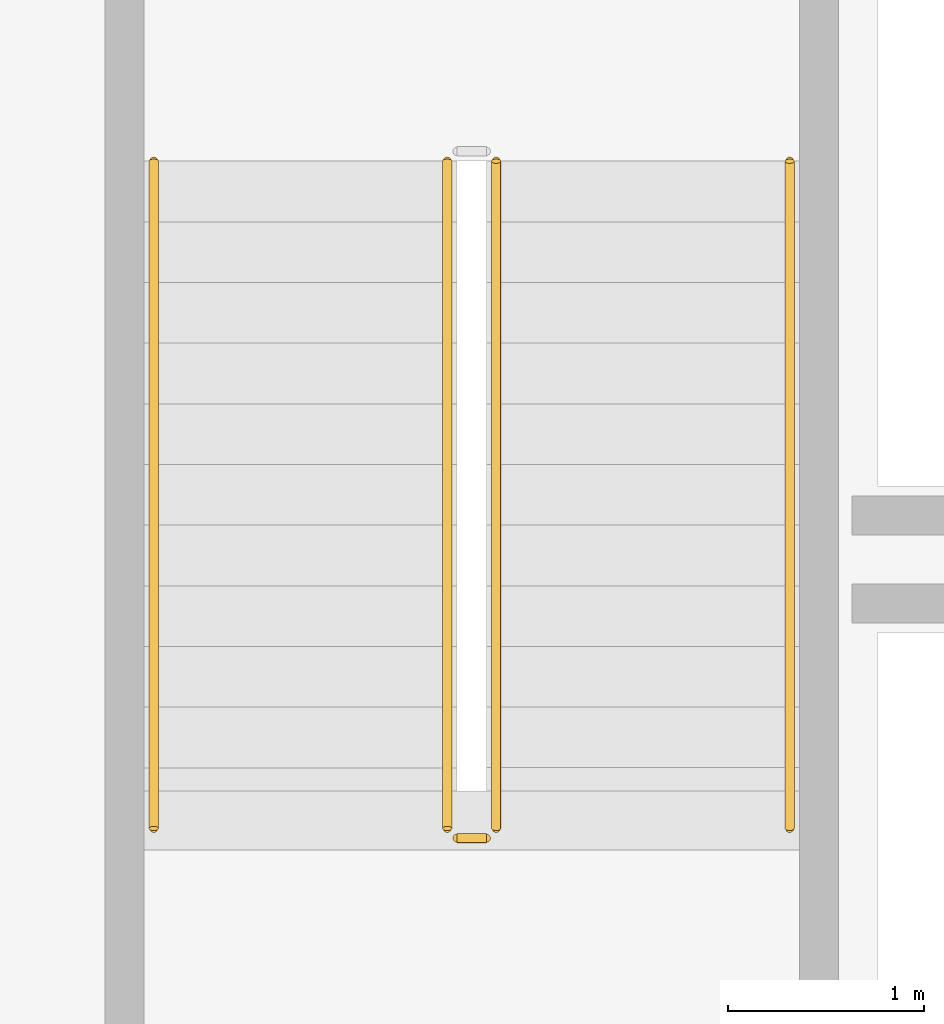
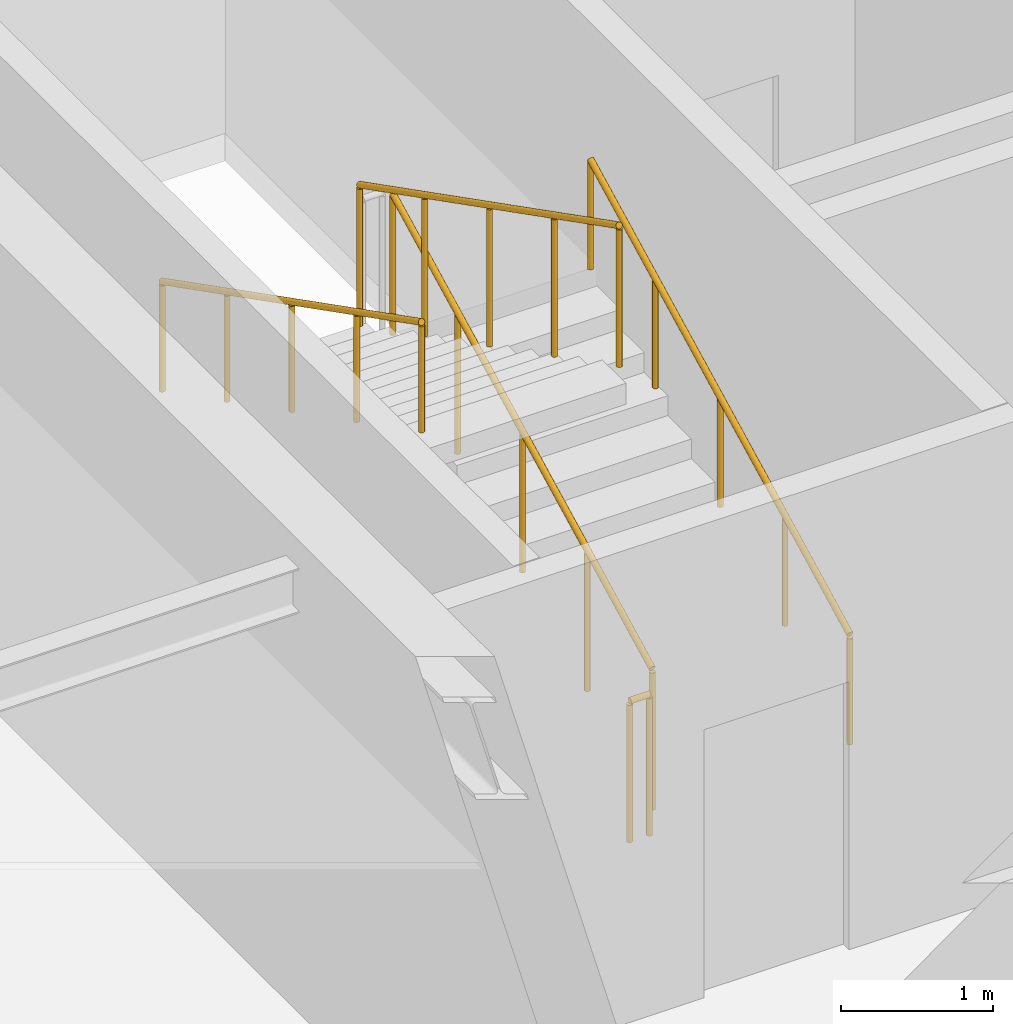
# One storey, part 14 of 19: 5 railings.
"""IFC4 building model written with IfcOpenShell, lengths in metres."""

from ifc_helpers import new_model, si_unit, direction, frame, origin, origin_2d, place, context, subcontext, project, spatial, circle, extrude, material, type_object, element, save


model = new_model("IFC4")

# Units and contexts
model_context = context("Model", 3, precision=1e-05, world=origin(), true_north=direction((0.0, 1.0)))
body_context = subcontext(model_context, "Body", "Model", "MODEL_VIEW")
ifc_project = project(units=[si_unit("LENGTHUNIT", "METRE"), si_unit("AREAUNIT", "SQUARE_METRE"), si_unit("VOLUMEUNIT", "CUBIC_METRE"), si_unit("PLANEANGLEUNIT", "RADIAN"), si_unit("MASSUNIT", "GRAM", prefix="KILO")], contexts=[model_context])

# Site, building, storey
site_placement = place(None, origin())
site = spatial("IfcSite", under=ifc_project, at=site_placement, CompositionType="ELEMENT")
building_placement = place(site_placement, origin())
building = spatial("IfcBuilding", under=site, at=building_placement, Name="Vaeldorn Concourse Tower", CompositionType="ELEMENT")
storey_placement = place(building_placement, frame((0.0, 0.0, 272.60009765625)))
storey = spatial("IfcBuildingStorey", under=building, at=storey_placement, Name="L70", CompositionType="ELEMENT", Elevation=272.60009765625)

# Railings
ifc_material = material(Name="Anodised Bronze Aluminium", Category="aluminium")
railing_type_1 = type_object("IfcRailingType", Name="RL-STAIR-GUARD", PredefinedType="GUARDRAIL", material=ifc_material)
railing_1_placement = place(storey_placement, frame((16.85009765625, 41.60009765625, 0.158203125)))
element("IfcRailing", 1, at=railing_1_placement, inside=storey, type_object=railing_type_1, Name="L70 ST-1 stair guard 1", PredefinedType="GUARDRAIL", context=body_context, shape_type="SweptSolid", body=[
    extrude(circle(Radius=0.02392578125, at=origin_2d()), frame((0.0, 0.0, 1.1259765625), z_axis=(0.0, 0.890555807335, 0.454873997962), x_axis=(-1.0, 0.0, 0.0)), (0.0, 0.0, 1.0), 3.828857421875),
    extrude(circle(Radius=0.02099609375, at=origin_2d()), origin(), (0.0, 0.0, 1.0), 1.101806640625),
    extrude(circle(Radius=0.02099609375, at=origin_2d()), frame((0.0, 0.8525390625, 0.435546875)), (0.0, 0.0, 1.0), 1.101806640625),
    extrude(circle(Radius=0.02099609375, at=origin_2d()), frame((0.0, 1.705078125, 0.870849609375)), (0.0, 0.0, 1.0), 1.101806640625),
    extrude(circle(Radius=0.02099609375, at=origin_2d()), frame((0.0, 2.557373046875, 1.30615234375)), (0.0, 0.0, 1.0), 1.101806640625),
    extrude(circle(Radius=0.02099609375, at=origin_2d()), frame((0.0, 3.409912109375, 1.74169921875)), (0.0, 0.0, 1.0), 1.101806640625),
])
railing_2_placement = place(storey_placement, frame((16.60009765625, 45.010009765625, 2.058349609375)))
element("IfcRailing", 2, at=railing_2_placement, inside=storey, type_object=railing_type_1, Name="L70 ST-1 stair guard 3", PredefinedType="GUARDRAIL", context=body_context, shape_type="SweptSolid", body=[
    extrude(circle(Radius=0.02392578125, at=origin_2d()), frame((0.0, 0.0, 1.1259765625), z_axis=(0.0, -0.890581635807, 0.454823427236), x_axis=(1.0, 0.0, 0.0)), (0.0, 0.0, 1.0), 3.828857421875),
    extrude(circle(Radius=0.02099609375, at=origin_2d()), origin(), (0.0, 0.0, 1.0), 1.101806640625),
    extrude(circle(Radius=0.02099609375, at=origin_2d()), frame((0.0, -0.8525390625, 0.435302734375)), (0.0, 0.0, 1.0), 1.101806640625),
    extrude(circle(Radius=0.02099609375, at=origin_2d()), frame((0.0, -1.705078125, 0.87060546875)), (0.0, 0.0, 1.0), 1.101806640625),
    extrude(circle(Radius=0.02099609375, at=origin_2d()), frame((0.0, -2.557373046875, 1.30615234375)), (0.0, 0.0, 1.0), 1.101806640625),
    extrude(circle(Radius=0.02099609375, at=origin_2d()), frame((0.0, -3.409912109375, 1.741455078125)), (0.0, 0.0, 1.0), 1.101806640625),
])
railing_3_placement = place(storey_placement, frame((16.800048828125, 41.550048828125, 0.0)))
element("IfcRailing", 3, at=railing_3_placement, inside=storey, type_object=railing_type_1, Name="L70 ST-1 stair guard 4", PredefinedType="GUARDRAIL", context=body_context, shape_type="SweptSolid", body=[
    extrude(circle(Radius=0.02392578125, at=origin_2d()), frame((0.0, 0.0, 1.1259765625), z_axis=(-1.0, 0.0, 0.0), x_axis=(0.0, -1.0, 0.0)), (0.0, 0.0, 1.0), 0.150146484375),
    extrude(circle(Radius=0.02099609375, at=origin_2d()), origin(), (0.0, 0.0, 1.0), 1.101806640625),
    extrude(circle(Radius=0.02099609375, at=origin_2d()), frame((-0.150146484375, 0.0, 0.0)), (0.0, 0.0, 1.0), 1.101806640625),
])
railing_type_2 = type_object("IfcRailingType", Name="RL-STAIR-HANDRAIL", PredefinedType="HANDRAIL", material=ifc_material)
railing_4_placement = place(storey_placement, frame((18.35009765625, 41.60009765625, 0.158203125)))
element("IfcRailing", 4, at=railing_4_placement, inside=storey, type_object=railing_type_2, Name="L70 ST-1 stair handrail 1", PredefinedType="HANDRAIL", context=body_context, shape_type="SweptSolid", body=[
    extrude(circle(Radius=0.02392578125, at=origin_2d()), frame((0.0, 0.0, 0.8759765625), z_axis=(0.0, 0.890555807335, 0.454873997962), x_axis=(-1.0, 0.0, 0.0)), (0.0, 0.0, 1.0), 3.828857421875),
    extrude(circle(Radius=0.02099609375, at=origin_2d()), origin(), (0.0, 0.0, 1.0), 0.851806640625),
    extrude(circle(Radius=0.02099609375, at=origin_2d()), frame((0.0, 0.8525390625, 0.435546875)), (0.0, 0.0, 1.0), 0.851806640625),
    extrude(circle(Radius=0.02099609375, at=origin_2d()), frame((0.0, 1.705078125, 0.870849609375)), (0.0, 0.0, 1.0), 0.851806640625),
    extrude(circle(Radius=0.02099609375, at=origin_2d()), frame((0.0, 2.557373046875, 1.30615234375)), (0.0, 0.0, 1.0), 0.851806640625),
    extrude(circle(Radius=0.02099609375, at=origin_2d()), frame((0.0, 3.409912109375, 1.74169921875)), (0.0, 0.0, 1.0), 0.851806640625),
])
railing_5_placement = place(storey_placement, frame((15.10009765625, 45.010009765625, 2.058349609375)))
element("IfcRailing", 5, at=railing_5_placement, inside=storey, type_object=railing_type_2, Name="L70 ST-1 stair handrail 2", PredefinedType="HANDRAIL", context=body_context, shape_type="SweptSolid", body=[
    extrude(circle(Radius=0.02392578125, at=origin_2d()), frame((0.0, 0.0, 0.8759765625), z_axis=(0.0, -0.890581635807, 0.454823427236), x_axis=(1.0, 0.0, 0.0)), (0.0, 0.0, 1.0), 3.828857421875),
    extrude(circle(Radius=0.02099609375, at=origin_2d()), origin(), (0.0, 0.0, 1.0), 0.851806640625),
    extrude(circle(Radius=0.02099609375, at=origin_2d()), frame((0.0, -0.8525390625, 0.435302734375)), (0.0, 0.0, 1.0), 0.851806640625),
    extrude(circle(Radius=0.02099609375, at=origin_2d()), frame((0.0, -1.705078125, 0.87060546875)), (0.0, 0.0, 1.0), 0.851806640625),
    extrude(circle(Radius=0.02099609375, at=origin_2d()), frame((0.0, -2.557373046875, 1.30615234375)), (0.0, 0.0, 1.0), 0.851806640625),
    extrude(circle(Radius=0.02099609375, at=origin_2d()), frame((0.0, -3.409912109375, 1.741455078125)), (0.0, 0.0, 1.0), 0.851806640625),
])

save(model, "model.ifc")
